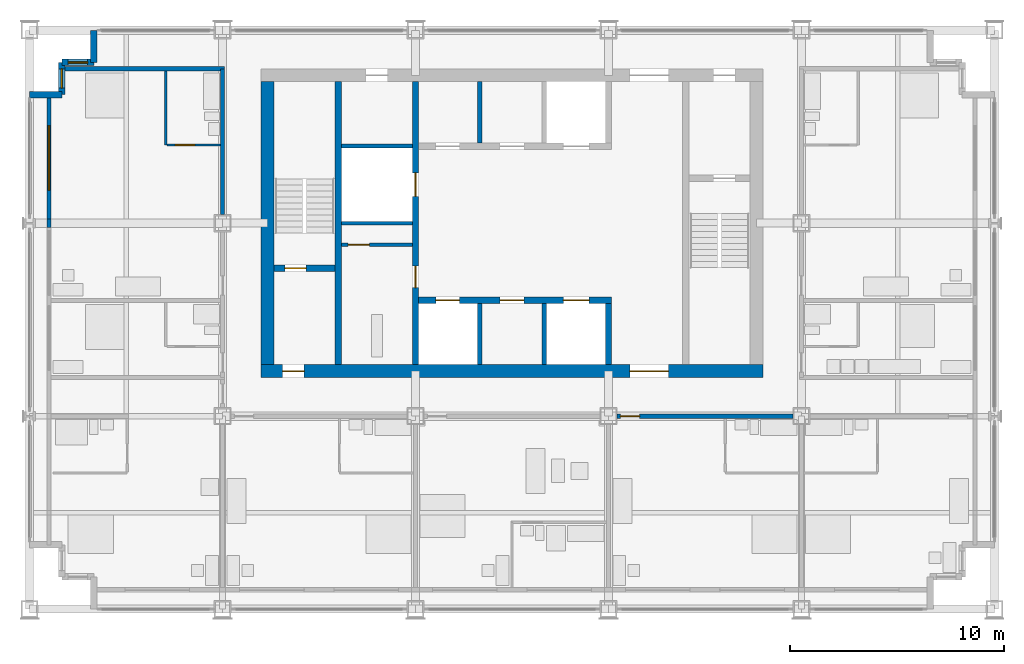
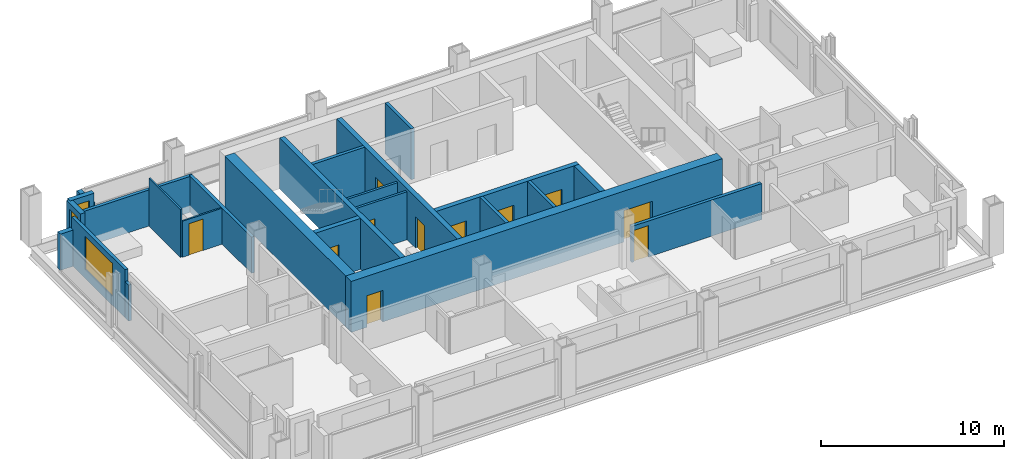
# One storey, part 8 of 13: 24 walls, 11 doors, 3 windows, 14 openings.
"""IFC4 building model written with IfcOpenShell, lengths in metres."""

from ifc_helpers import new_model, si_unit, direction, frame, frame_2d, origin, place, context, subcontext, project, spatial, rectangle, extrude, material, layer, layer_set, type_object, element, fill, save


model = new_model("IFC4")

# Units and contexts
model_context = context("Model", 3, precision=1e-05, world=origin(), true_north=direction((0.0, 1.0)))
body_context = subcontext(model_context, "Body", "Model", "MODEL_VIEW")
ifc_project = project(units=[si_unit("LENGTHUNIT", "METRE"), si_unit("AREAUNIT", "SQUARE_METRE"), si_unit("VOLUMEUNIT", "CUBIC_METRE"), si_unit("PLANEANGLEUNIT", "RADIAN"), si_unit("MASSUNIT", "GRAM", prefix="KILO")], contexts=[model_context])

# Site, building, storey
site_placement = place(None, origin())
site = spatial("IfcSite", under=ifc_project, at=site_placement, CompositionType="ELEMENT")
building_placement = place(site_placement, origin())
building = spatial("IfcBuilding", under=site, at=building_placement, Name="Loomwork Tower", CompositionType="ELEMENT")
storey_placement = place(building_placement, frame((0.0, 0.0, 180.800048828125)))
storey = spatial("IfcBuildingStorey", under=building, at=storey_placement, Name="L49", CompositionType="ELEMENT", Elevation=180.800048828125)

# Wall
ifc_material_1 = material(Name="Concrete 14000 psi (97 MPa)", Category="concrete")
ifc_layer_1 = layer(ifc_material_1, 0.300048828125)
ifc_layer_set_1 = layer_set([ifc_layer_1], Name="Core shear wall 300")
wall_type_1 = type_object("IfcWallType", Name="Core shear wall 300", PredefinedType="SHEAR", material=ifc_layer_set_1)
wall_1_placement = place(storey_placement, frame((14.39990234375, 11.39990234375, 0.0), z_axis=(0.0, 0.0, 1.0), x_axis=(0.0, 1.0, 0.0)))
element("IfcWall", 1, at=wall_1_placement, inside=storey, type_object=wall_type_1, Name="Stair A east wall L49", PredefinedType="SHEAR", context=body_context, shape_type="SweptSolid", body=[
    extrude(rectangle(XDim=13.2001953125, YDim=0.300048828125, at=frame_2d((6.60009765625, 0.0))), origin(), (0.0, 0.0, 1.0), 3.39990234375),
])

# Wall, opening, door
wall_2_placement = place(storey_placement, frame((11.39990234375, 15.89990234375, 0.0), z_axis=(0.0, 0.0, 1.0), x_axis=(1.0, 0.0, 0.0)))
wall_2 = element("IfcWall", 2, at=wall_2_placement, inside=storey, type_object=wall_type_1, Name="Stair A south wall L49", PredefinedType="SHEAR", context=body_context, shape_type="SweptSolid", body=[
    extrude(rectangle(XDim=2.85009765625, YDim=0.300048828125, at=frame_2d((1.425048828125, 0.0))), origin(), (0.0, 0.0, 1.0), 3.39990234375),
])
opening_1_placement = place(wall_2_placement, frame((0.5, 0.0, 0.0)))
opening_1 = element("IfcOpeningElement", 3, at=opening_1_placement, cuts=wall_2, Name="Opening D4", PredefinedType="OPENING", context=body_context, shape_type="SweptSolid", body=[
    extrude(rectangle(XDim=1.0, YDim=2.10009765625, at=frame_2d((0.5, 1.050048828125))), frame((0.0, 0.159912109375, 0.0), z_axis=(0.0, -1.0, 0.0), x_axis=(1.0, 0.0, 0.0)), (0.0, 0.0, 1.0), 0.320068359375),
])
ifc_material_2 = material(Name="Hollow metal door and frame")
door_type_1 = type_object("IfcDoorType", Name="Stair door 1000", OperationType="SINGLE_SWING_RIGHT", PredefinedType="DOOR", material=ifc_material_2)
door_1_placement = place(opening_1_placement, origin())
door_1 = element("IfcDoor", 4, at=door_1_placement, inside=storey, type_object=door_type_1, Name="Stair A door", OperationType="SINGLE_SWING_LEFT", OverallHeight=2.10009765625, OverallWidth=1.0, PredefinedType="DOOR", context=body_context, shape_type="SweptSolid", body=[
    extrude(rectangle(XDim=1.0, YDim=2.10009765625, at=frame_2d((0.5, 1.050048828125))), frame((0.0, 0.02490234375, 0.0), z_axis=(0.0, -1.0, 0.0), x_axis=(1.0, 0.0, 0.0)), (0.0, 0.0, 1.0), 0.050048828125),
])
fill(opening_1, door_1)

# Wall, openings, doors
wall_3_placement = place(storey_placement, frame((18.0, 11.39990234375, 0.0), z_axis=(0.0, 0.0, 1.0), x_axis=(0.0, 1.0, 0.0)))
wall_3 = element("IfcWall", 5, at=wall_3_placement, inside=storey, type_object=wall_type_1, Name="Lobby west wall L49", PredefinedType="SHEAR", context=body_context, shape_type="SweptSolid", body=[
    extrude(rectangle(XDim=13.2001953125, YDim=0.300048828125, at=frame_2d((6.60009765625, 0.0))), origin(), (0.0, 0.0, 1.0), 3.39990234375),
])
opening_2_placement = place(wall_3_placement, frame((3.60009765625, 0.0, 0.0)))
opening_2 = element("IfcOpeningElement", 6, at=opening_2_placement, cuts=wall_3, Name="Opening D5", PredefinedType="OPENING", context=body_context, shape_type="SweptSolid", body=[
    extrude(rectangle(XDim=1.0, YDim=2.10009765625, at=frame_2d((0.5, 1.050048828125))), frame((0.0, 0.159912109375, 0.0), z_axis=(0.0, -1.0, 0.0), x_axis=(1.0, 0.0, 0.0)), (0.0, 0.0, 1.0), 0.320068359375),
])
opening_3_placement = place(wall_3_placement, frame((7.85009765625, 0.0, 0.0)))
opening_3 = element("IfcOpeningElement", 7, at=opening_3_placement, cuts=wall_3, Name="Opening LD1", PredefinedType="OPENING", context=body_context, shape_type="SweptSolid", body=[
    extrude(rectangle(XDim=1.10009765625, YDim=2.10009765625, at=frame_2d((0.550048828125, 1.050048828125))), frame((0.0, 0.159912109375, 0.0), z_axis=(0.0, -1.0, 0.0), x_axis=(1.0, 0.0, 0.0)), (0.0, 0.0, 1.0), 0.320068359375),
])
ifc_material_3 = material(Name="Hollow metal door and frame")
door_type_2 = type_object("IfcDoorType", Name="Lift landing door 1100", OperationType="SLIDING_TO_LEFT", PredefinedType="DOOR", material=ifc_material_3)
door_2_placement = place(opening_3_placement, origin())
door_2 = element("IfcDoor", 8, at=door_2_placement, inside=storey, type_object=door_type_2, Name="Lift landing door LC2", OperationType="SLIDING_TO_LEFT", OverallHeight=2.10009765625, OverallWidth=1.10009765625, PredefinedType="DOOR", context=body_context, shape_type="SweptSolid", body=[
    extrude(rectangle(XDim=1.10009765625, YDim=2.10009765625, at=frame_2d((0.550048828125, 1.050048828125))), frame((0.0, 0.02490234375, 0.0), z_axis=(0.0, -1.0, 0.0), x_axis=(1.0, 0.0, 0.0)), (0.0, 0.0, 1.0), 0.050048828125),
])
fill(opening_3, door_2)
ifc_material_4 = material(Name="Hollow metal door and frame")
door_type_3 = type_object("IfcDoorType", Name="Service door 1000", OperationType="SINGLE_SWING_LEFT", PredefinedType="DOOR", material=ifc_material_4)
door_3_placement = place(opening_2_placement, origin())
door_3 = element("IfcDoor", 9, at=door_3_placement, inside=storey, type_object=door_type_3, Name="Back-of-house door south", OperationType="SINGLE_SWING_LEFT", OverallHeight=2.10009765625, OverallWidth=1.0, PredefinedType="DOOR", context=body_context, shape_type="SweptSolid", body=[
    extrude(rectangle(XDim=1.0, YDim=2.10009765625, at=frame_2d((0.5, 1.050048828125))), frame((0.0, 0.02490234375, 0.0), z_axis=(0.0, -1.0, 0.0), x_axis=(1.0, 0.0, 0.0)), (0.0, 0.0, 1.0), 0.050048828125),
])
fill(opening_2, door_3)

wall_4_placement = place(storey_placement, frame((18.14990234375, 14.39990234375, 0.0), z_axis=(0.0, 0.0, 1.0), x_axis=(1.0, 0.0, 0.0)))
wall_4 = element("IfcWall", 10, at=wall_4_placement, inside=storey, type_object=wall_type_1, Name="Lift front wall south L49", PredefinedType="SHEAR", context=body_context, shape_type="SweptSolid", body=[
    extrude(rectangle(XDim=9.0, YDim=0.300048828125, at=frame_2d((4.5, 0.0))), origin(), (0.0, 0.0, 1.0), 3.39990234375),
])
opening_4_placement = place(wall_4_placement, frame((0.800048828125, 0.0, 0.0)))
opening_4 = element("IfcOpeningElement", 11, at=opening_4_placement, cuts=wall_4, Name="Opening LD1", PredefinedType="OPENING", context=body_context, shape_type="SweptSolid", body=[
    extrude(rectangle(XDim=1.10009765625, YDim=2.10009765625, at=frame_2d((0.550048828125, 1.050048828125))), frame((0.0, 0.159912109375, 0.0), z_axis=(0.0, -1.0, 0.0), x_axis=(1.0, 0.0, 0.0)), (0.0, 0.0, 1.0), 0.320068359375),
])
opening_5_placement = place(wall_4_placement, frame((6.75, 0.0, 0.0)))
opening_5 = element("IfcOpeningElement", 12, at=opening_5_placement, cuts=wall_4, Name="Opening LD2", PredefinedType="OPENING", context=body_context, shape_type="SweptSolid", body=[
    extrude(rectangle(XDim=1.199951171875, YDim=2.10009765625, at=frame_2d((0.60009765625, 1.050048828125))), frame((0.0, 0.159912109375, 0.0), z_axis=(0.0, -1.0, 0.0), x_axis=(1.0, 0.0, 0.0)), (0.0, 0.0, 1.0), 0.320068359375),
])
opening_6_placement = place(wall_4_placement, frame((3.800048828125, 0.0, 0.0)))
opening_6 = element("IfcOpeningElement", 13, at=opening_6_placement, cuts=wall_4, Name="Opening D17", PredefinedType="OPENING", context=body_context, shape_type="SweptSolid", body=[
    extrude(rectangle(XDim=1.10009765625, YDim=2.10009765625, at=frame_2d((0.550048828125, 1.050048828125))), frame((0.0, 0.159912109375, 0.0), z_axis=(0.0, -1.0, 0.0), x_axis=(1.0, 0.0, 0.0)), (0.0, 0.0, 1.0), 0.320068359375),
])
door_4_placement = place(opening_4_placement, origin())
door_4 = element("IfcDoor", 14, at=door_4_placement, inside=storey, type_object=door_type_2, Name="Lift landing door LC1", OperationType="SLIDING_TO_LEFT", OverallHeight=2.10009765625, OverallWidth=1.10009765625, PredefinedType="DOOR", context=body_context, shape_type="SweptSolid", body=[
    extrude(rectangle(XDim=1.10009765625, YDim=2.10009765625, at=frame_2d((0.550048828125, 1.050048828125))), frame((0.0, 0.02490234375, 0.0), z_axis=(0.0, -1.0, 0.0), x_axis=(1.0, 0.0, 0.0)), (0.0, 0.0, 1.0), 0.050048828125),
])
fill(opening_4, door_4)
ifc_material_5 = material(Name="Hollow metal door and frame")
door_type_4 = type_object("IfcDoorType", Name="Lift landing door 1200", OperationType="SLIDING_TO_LEFT", PredefinedType="DOOR", material=ifc_material_5)
door_5_placement = place(opening_5_placement, origin())
door_5 = element("IfcDoor", 15, at=door_5_placement, inside=storey, type_object=door_type_4, Name="Lift landing door LF1", OperationType="SLIDING_TO_LEFT", OverallHeight=2.10009765625, OverallWidth=1.199951171875, PredefinedType="DOOR", context=body_context, shape_type="SweptSolid", body=[
    extrude(rectangle(XDim=1.199951171875, YDim=2.10009765625, at=frame_2d((0.60009765625, 1.050048828125))), frame((0.0, 0.02490234375, 0.0), z_axis=(0.0, -1.0, 0.0), x_axis=(1.0, 0.0, 0.0)), (0.0, 0.0, 1.0), 0.050048828125),
])
fill(opening_5, door_5)
ifc_material_6 = material(Name="Hollow metal door and frame")
door_type_5 = type_object("IfcDoorType", Name="Service room door 1100", OperationType="SINGLE_SWING_LEFT", PredefinedType="DOOR", material=ifc_material_6)
door_6_placement = place(opening_6_placement, frame((1.10009765625, 0.0, 0.0), z_axis=(0.0, 0.0, 1.0), x_axis=(-1.0, 0.0, 0.0)))
door_6 = element("IfcDoor", 16, at=door_6_placement, inside=storey, type_object=door_type_5, Name="Linen and housekeeping store door L49", OperationType="SINGLE_SWING_RIGHT", OverallHeight=2.10009765625, OverallWidth=1.10009765625, PredefinedType="DOOR", context=body_context, shape_type="SweptSolid", body=[
    extrude(rectangle(XDim=1.10009765625, YDim=2.10009765625, at=frame_2d((0.550048828125, 1.050048828125))), frame((0.0, 0.02490234375, 0.0), z_axis=(0.0, -1.0, 0.0), x_axis=(1.0, 0.0, 0.0)), (0.0, 0.0, 1.0), 0.050048828125),
])
fill(opening_6, door_6)

# Wall
wall_5_placement = place(storey_placement, frame((27.0, 11.39990234375, 0.0), z_axis=(0.0, 0.0, 1.0), x_axis=(0.0, 1.0, 0.0)))
element("IfcWall", 17, at=wall_5_placement, inside=storey, type_object=wall_type_1, Name="Lift shaft end wall south L49", PredefinedType="SHEAR", context=body_context, shape_type="SweptSolid", body=[
    extrude(rectangle(XDim=2.85009765625, YDim=0.300048828125, at=frame_2d((1.425048828125, 0.0))), origin(), (0.0, 0.0, 1.0), 3.39990234375),
])

# Wall, openings, doors
ifc_material_7 = material(Name="Concrete 14000 psi (97 MPa)", Category="concrete")
ifc_layer_2 = layer(ifc_material_7, 0.60009765625)
ifc_layer_set_2 = layer_set([ifc_layer_2], Name="Core shear wall 600")
wall_type_2 = type_object("IfcWallType", Name="Core shear wall 600", PredefinedType="SHEAR", material=ifc_layer_set_2)
wall_6_placement = place(storey_placement, frame((10.800048828125, 11.10009765625, 0.0), z_axis=(0.0, 0.0, 1.0), x_axis=(1.0, 0.0, 0.0)))
wall_6 = element("IfcWall", 18, at=wall_6_placement, inside=storey, type_object=wall_type_2, Name="Core wall south L49", PredefinedType="SHEAR", context=body_context, shape_type="SweptSolid", body=[
    extrude(rectangle(XDim=23.39990234375, YDim=0.60009765625, at=frame_2d((11.699951171875, 0.0))), origin(), (0.0, 0.0, 1.0), 3.39990234375),
])
opening_7_placement = place(wall_6_placement, frame((1.0, 0.0, 0.0)))
opening_7 = element("IfcOpeningElement", 19, at=opening_7_placement, cuts=wall_6, Name="Opening D4", PredefinedType="OPENING", context=body_context, shape_type="SweptSolid", body=[
    extrude(rectangle(XDim=1.0, YDim=2.10009765625, at=frame_2d((0.5, 1.050048828125))), frame((0.0, 0.31005859375, 0.0), z_axis=(0.0, -1.0, 0.0), x_axis=(1.0, 0.0, 0.0)), (0.0, 0.0, 1.0), 0.6201171875),
])
opening_8_placement = place(wall_6_placement, frame((17.199951171875, 0.0, 0.0)))
opening_8 = element("IfcOpeningElement", 20, at=opening_8_placement, cuts=wall_6, Name="Opening D6", PredefinedType="OPENING", context=body_context, shape_type="SweptSolid", body=[
    extrude(rectangle(XDim=1.800048828125, YDim=2.10009765625, at=frame_2d((0.89990234375, 1.050048828125))), frame((0.0, 0.31005859375, 0.0), z_axis=(0.0, -1.0, 0.0), x_axis=(1.0, 0.0, 0.0)), (0.0, 0.0, 1.0), 0.6201171875),
])
ifc_material_8 = material(Name="Hollow metal door and frame")
door_type_6 = type_object("IfcDoorType", Name="Lobby passage double door 1800", OperationType="DOUBLE_DOOR_SINGLE_SWING", PredefinedType="DOOR", material=ifc_material_8)
door_7_placement = place(opening_8_placement, origin())
door_7 = element("IfcDoor", 21, at=door_7_placement, inside=storey, type_object=door_type_6, Name="Lobby passage door south", OperationType="DOUBLE_DOOR_SINGLE_SWING", OverallHeight=2.10009765625, OverallWidth=1.800048828125, PredefinedType="DOOR", context=body_context, shape_type="SweptSolid", body=[
    extrude(rectangle(XDim=1.800048828125, YDim=2.10009765625, at=frame_2d((0.89990234375, 1.050048828125))), frame((0.0, 0.02490234375, 0.0), z_axis=(0.0, -1.0, 0.0), x_axis=(1.0, 0.0, 0.0)), (0.0, 0.0, 1.0), 0.050048828125),
])
fill(opening_8, door_7)
door_8_placement = place(opening_7_placement, origin())
door_8 = element("IfcDoor", 22, at=door_8_placement, inside=storey, type_object=door_type_1, Name="Stair A vestibule door", OperationType="SINGLE_SWING_LEFT", OverallHeight=2.10009765625, OverallWidth=1.0, PredefinedType="DOOR", context=body_context, shape_type="SweptSolid", body=[
    extrude(rectangle(XDim=1.0, YDim=2.10009765625, at=frame_2d((0.5, 1.050048828125))), frame((0.0, 0.02490234375, 0.0), z_axis=(0.0, -1.0, 0.0), x_axis=(1.0, 0.0, 0.0)), (0.0, 0.0, 1.0), 0.050048828125),
])
fill(opening_7, door_8)

# Wall
wall_7_placement = place(storey_placement, frame((11.10009765625, 11.39990234375, 0.0), z_axis=(0.0, 0.0, 1.0), x_axis=(0.0, 1.0, 0.0)))
element("IfcWall", 23, at=wall_7_placement, inside=storey, type_object=wall_type_2, Name="Core wall west L49", PredefinedType="SHEAR", context=body_context, shape_type="SweptSolid", body=[
    extrude(rectangle(XDim=13.2001953125, YDim=0.60009765625, at=frame_2d((6.60009765625, 0.0))), origin(), (0.0, 0.0, 1.0), 3.39990234375),
])

# Wall, opening, door
ifc_material_9 = material(Name="Gypsum board on steel studs, one-hour", Category="steel")
ifc_layer_3 = layer(ifc_material_9, 0.199951171875)
ifc_layer_set_3 = layer_set([ifc_layer_3], Name="Corridor wall 200")
wall_type_3 = type_object("IfcWallType", Name="Corridor wall 200", PredefinedType="PARTITIONING", material=ifc_layer_set_3)
wall_8_placement = place(storey_placement, frame((27.39990234375, 9.0, 0.0), z_axis=(0.0, 0.0, 1.0), x_axis=(1.0, 0.0, 0.0)))
wall_8 = element("IfcWall", 24, at=wall_8_placement, inside=storey, type_object=wall_type_3, Name="South corridor wall 4", PredefinedType="PARTITIONING", context=body_context, shape_type="SweptSolid", body=[
    extrude(rectangle(XDim=8.2001953125, YDim=0.199951171875, at=frame_2d((4.10009765625, 0.0))), origin(), (0.0, 0.0, 1.0), 2.405029296875),
])
opening_9_placement = place(wall_8_placement, frame((0.14990234375, 0.0, 0.0)))
opening_9 = element("IfcOpeningElement", 25, at=opening_9_placement, cuts=wall_8, Name="Opening D1", PredefinedType="OPENING", context=body_context, shape_type="SweptSolid", body=[
    extrude(rectangle(XDim=0.89990234375, YDim=2.10009765625, at=frame_2d((0.449951171875, 1.050048828125))), frame((0.0, 0.10986328125, 0.0), z_axis=(0.0, -1.0, 0.0), x_axis=(1.0, 0.0, 0.0)), (0.0, 0.0, 1.0), 0.219970703125),
])
ifc_material_10 = material(Name="Hollow metal door and frame")
door_type_7 = type_object("IfcDoorType", Name="Guest room entry door 900", OperationType="SINGLE_SWING_LEFT", PredefinedType="DOOR", material=ifc_material_10)
door_9_placement = place(opening_9_placement, frame((0.89990234375, 0.0, 0.0), z_axis=(0.0, 0.0, 1.0), x_axis=(-1.0, 0.0, 0.0)))
door_9 = element("IfcDoor", 26, at=door_9_placement, inside=storey, type_object=door_type_7, Name="Guest room entry door L49 4", OperationType="SINGLE_SWING_RIGHT", OverallHeight=2.10009765625, OverallWidth=0.89990234375, PredefinedType="DOOR", context=body_context, shape_type="SweptSolid", body=[
    extrude(rectangle(XDim=0.89990234375, YDim=2.10009765625, at=frame_2d((0.449951171875, 1.050048828125))), frame((0.0, 0.02490234375, 0.0), z_axis=(0.0, -1.0, 0.0), x_axis=(1.0, 0.0, 0.0)), (0.0, 0.0, 1.0), 0.050048828125),
])
fill(opening_9, door_9)

# Walls
wall_9_placement = place(storey_placement, frame((9.0, 18.39990234375, 0.0), z_axis=(0.0, 0.0, 1.0), x_axis=(0.0, 1.0, 0.0)))
element("IfcWall", 27, at=wall_9_placement, inside=storey, type_object=wall_type_3, Name="West corridor wall 2", PredefinedType="PARTITIONING", context=body_context, shape_type="SweptSolid", body=[
    extrude(rectangle(XDim=6.800048828125, YDim=0.199951171875, at=frame_2d((3.39990234375, 0.0))), origin(), (0.0, 0.0, 1.0), 2.405029296875),
])
wall_10_placement = place(storey_placement, frame((1.64990234375, 25.199951171875, 0.0), z_axis=(0.0, 0.0, 1.0), x_axis=(1.0, 0.0, 0.0)))
element("IfcWall", 28, at=wall_10_placement, inside=storey, type_object=wall_type_3, Name="West band end wall N", PredefinedType="PARTITIONING", context=body_context, shape_type="SweptSolid", body=[
    extrude(rectangle(XDim=7.4501953125, YDim=0.199951171875, at=frame_2d((3.72509765625, 0.0))), origin(), (0.0, 0.0, 1.0), 2.404052734375),
])
ifc_material_11 = material(Name="Cement board on steel studs", Category="steel")
ifc_layer_4 = layer(ifc_material_11, 0.10009765625)
ifc_layer_set_4 = layer_set([ifc_layer_4], Name="En-suite partition 100")
wall_type_4 = type_object("IfcWallType", Name="En-suite partition 100", PredefinedType="PARTITIONING", material=ifc_layer_set_4)
wall_11_placement = place(storey_placement, frame((6.35009765625, 21.64990234375, 0.0), z_axis=(0.0, 0.0, 1.0), x_axis=(0.0, 1.0, 0.0)))
element("IfcWall", 29, at=wall_11_placement, inside=storey, type_object=wall_type_4, Name="En-suite wall L49 room 7", PredefinedType="PARTITIONING", context=body_context, shape_type="SweptSolid", body=[
    extrude(rectangle(XDim=3.4501953125, YDim=0.10009765625, at=frame_2d((1.72509765625, 0.0))), origin(), (0.0, 0.0, 1.0), 3.199951171875),
])

# Wall, opening, door
wall_12_placement = place(storey_placement, frame((8.89990234375, 21.64990234375, 0.0), z_axis=(0.0, 0.0, 1.0), x_axis=(-1.0, 0.0, 0.0)))
wall_12 = element("IfcWall", 30, at=wall_12_placement, inside=storey, type_object=wall_type_4, Name="En-suite side wall L49 room 7", PredefinedType="PARTITIONING", context=body_context, shape_type="SweptSolid", body=[
    extrude(rectangle(XDim=2.5, YDim=0.10009765625, at=frame_2d((1.25, 0.0))), origin(), (0.0, 0.0, 1.0), 2.404052734375),
])
opening_10_placement = place(wall_12_placement, frame((1.199951171875, 0.0, 0.0)))
opening_10 = element("IfcOpeningElement", 31, at=opening_10_placement, cuts=wall_12, Name="Opening D2", PredefinedType="OPENING", context=body_context, shape_type="SweptSolid", body=[
    extrude(rectangle(XDim=0.89990234375, YDim=2.10009765625, at=frame_2d((0.449951171875, 1.050048828125))), frame((0.0, 0.06005859375, 0.0), z_axis=(0.0, -1.0, 0.0), x_axis=(1.0, 0.0, 0.0)), (0.0, 0.0, 1.0), 0.1201171875),
])
ifc_material_12 = material(Name="Hollow metal door and frame")
door_type_8 = type_object("IfcDoorType", Name="En-suite door 900", OperationType="SINGLE_SWING_LEFT", PredefinedType="DOOR", material=ifc_material_12)
door_10_placement = place(opening_10_placement, frame((0.89990234375, 0.0, 0.0), z_axis=(0.0, 0.0, 1.0), x_axis=(-1.0, 0.0, 0.0)))
door_10 = element("IfcDoor", 32, at=door_10_placement, inside=storey, type_object=door_type_8, Name="En-suite door room 7", OperationType="SINGLE_SWING_LEFT", OverallHeight=2.10009765625, OverallWidth=0.89990234375, PredefinedType="DOOR", context=body_context, shape_type="SweptSolid", body=[
    extrude(rectangle(XDim=0.89990234375, YDim=2.10009765625, at=frame_2d((0.449951171875, 1.050048828125))), frame((0.0, 0.02490234375, 0.0), z_axis=(0.0, -1.0, 0.0), x_axis=(1.0, 0.0, 0.0)), (0.0, 0.0, 1.0), 0.050048828125),
])
fill(opening_10, door_10)

# Wall
ifc_material_13 = material(Name="Insulated steel stud wall with gypsum lining", Category="steel")
ifc_layer_5 = layer(ifc_material_13, 0.199951171875)
ifc_layer_set_5 = layer_set([ifc_layer_5], Name="Inner skin wall 200")
wall_type_5 = type_object("IfcWallType", Name="Inner skin wall 200", PredefinedType="SOLIDWALL", material=ifc_layer_set_5)
wall_13_placement = place(storey_placement, frame((0.89990234375, 17.80615234375, 0.0), z_axis=(0.0, 0.0, 1.0), x_axis=(0.0, 1.0, 0.0)))
element("IfcWall", 33, at=wall_13_placement, inside=storey, type_object=wall_type_5, Name="Inner skin wall W bay 6", PredefinedType="SOLIDWALL", context=body_context, shape_type="SweptSolid", body=[
    extrude(rectangle(XDim=0.3876953125, YDim=0.199951171875, at=frame_2d((0.19384765625, 0.0))), origin(), (0.0, 0.0, 1.0), 2.404052734375),
])

# Wall, opening, window
wall_14_placement = place(storey_placement, frame((0.89990234375, 18.19384765625, 0.0), z_axis=(0.0, 0.0, 1.0), x_axis=(0.0, 1.0, 0.0)))
wall_14 = element("IfcWall", 34, at=wall_14_placement, inside=storey, type_object=wall_type_5, Name="Inner skin wall W bay 7", PredefinedType="SOLIDWALL", context=body_context, shape_type="SweptSolid", body=[
    extrude(rectangle(XDim=5.80615234375, YDim=0.199951171875, at=frame_2d((2.903076171875, 0.0))), origin(), (0.0, 0.0, 1.0), 3.199951171875),
])
opening_11_placement = place(wall_14_placement, frame((1.356201171875, 0.0, 0.60009765625)))
opening_11 = element("IfcOpeningElement", 35, at=opening_11_placement, cuts=wall_14, Name="Opening CH1", PredefinedType="OPENING", context=body_context, shape_type="SweptSolid", body=[
    extrude(rectangle(XDim=3.0, YDim=2.199951171875, at=frame_2d((1.5, 1.10009765625))), frame((0.0, 0.10986328125, 0.0), z_axis=(0.0, -1.0, 0.0), x_axis=(1.0, 0.0, 0.0)), (0.0, 0.0, 1.0), 0.219970703125),
])
ifc_material_14 = material(Name="Aluminium frame with clear insulated glass", Category="aluminium")
window_type_1 = type_object("IfcWindowType", Name="Chicago window 3000", PartitioningType="TRIPLE_PANEL_VERTICAL", PredefinedType="WINDOW", material=ifc_material_14)
window_1_placement = place(opening_11_placement, origin())
window_1 = element("IfcWindow", 36, at=window_1_placement, inside=storey, type_object=window_type_1, Name="Chicago window L49 bay 7", OverallHeight=2.199951171875, OverallWidth=3.0, PartitioningType="TRIPLE_PANEL_VERTICAL", PredefinedType="WINDOW", context=body_context, shape_type="SweptSolid", body=[
    extrude(rectangle(XDim=3.0, YDim=2.199951171875, at=frame_2d((1.5, 1.10009765625))), frame((0.0, 0.030029296875, 0.0), z_axis=(0.0, -1.0, 0.0), x_axis=(1.0, 0.0, 0.0)), (0.0, 0.0, 1.0), 0.06005859375),
])
fill(opening_11, window_1)

# Walls
ifc_material_15 = material(Name="Concrete 14000 psi (97 MPa)", Category="concrete")
ifc_layer_6 = layer(ifc_material_15, 0.199951171875)
ifc_layer_set_6 = layer_set([ifc_layer_6], Name="Lift shaft wall 200")
wall_type_6 = type_object("IfcWallType", Name="Lift shaft wall 200", PredefinedType="SHEAR", material=ifc_layer_set_6)
for number, where, z_axis, x_axis, name in (
    (37, (21.0, 11.39990234375, 0.0), (0.0, 0.0, 1.0), (0.0, 1.0, 0.0), "Lift shaft separation wall south 1 L49"),
    (38, (24.0, 11.39990234375, 0.0), (0.0, 0.0, 1.0), (0.0, 1.0, 0.0), "Lift shaft separation wall south 2 L49"),
    (39, (21.0, 21.75, 0.0), (0.0, 0.0, 1.0), (0.0, 1.0, 0.0), "Lift shaft separation wall north 1 L49"),
):
    element("IfcWall", number, at=place(storey_placement, frame(where, z_axis=z_axis, x_axis=x_axis)), inside=storey, type_object=wall_type_6, Name=name, PredefinedType="SHEAR", context=body_context, shape_type="SweptSolid", body=[
        extrude(rectangle(XDim=2.85009765625, YDim=0.199951171875, at=frame_2d((1.425048828125, 0.0))), origin(), (0.0, 0.0, 1.0), 3.39990234375),
    ])
wall_15_placement = place(storey_placement, frame((14.550048828125, 21.60009765625, 0.0), z_axis=(0.0, 0.0, 1.0), x_axis=(1.0, 0.0, 0.0)))
element("IfcWall", 40, at=wall_15_placement, inside=storey, type_object=wall_type_6, Name="Lift shaft wall west north L49", PredefinedType="SHEAR", context=body_context, shape_type="SweptSolid", body=[
    extrude(rectangle(XDim=3.300048828125, YDim=0.199951171875, at=frame_2d((1.64990234375, 0.0))), origin(), (0.0, 0.0, 1.0), 3.39990234375),
])
ifc_material_16 = material(Name="Limestone on concrete masonry", Category="masonry")
ifc_layer_7 = layer(ifc_material_16, 0.300048828125)
ifc_layer_set_7 = layer_set([ifc_layer_7], Name="Limestone corner wall 300")
wall_type_7 = type_object("IfcWallType", Name="Limestone corner wall 300", PredefinedType="SOLIDWALL", material=ifc_layer_set_7)
wall_16_placement = place(storey_placement, frame((3.0, 27.0, 0.0), z_axis=(0.0, 0.0, 1.0), x_axis=(0.0, -1.0, 0.0)))
element("IfcWall", 41, at=wall_16_placement, inside=storey, type_object=wall_type_7, Name="Stone corner wall NW 1", PredefinedType="SOLIDWALL", context=body_context, shape_type="SweptSolid", body=[
    extrude(rectangle(XDim=1.5, YDim=0.300048828125, at=frame_2d((0.75, 0.0))), origin(), (0.0, 0.0, 1.0), 2.419921875),
])

# Wall, opening, window
wall_17_placement = place(storey_placement, frame((3.0, 25.5, 0.0), z_axis=(0.0, 0.0, 1.0), x_axis=(-1.0, 0.0, 0.0)))
wall_17 = element("IfcWall", 42, at=wall_17_placement, inside=storey, type_object=wall_type_7, Name="Stone corner wall NW 2", PredefinedType="SOLIDWALL", context=body_context, shape_type="SweptSolid", body=[
    extrude(rectangle(XDim=1.5, YDim=0.300048828125, at=frame_2d((0.75, 0.0))), origin(), (0.0, 0.0, 1.0), 3.199951171875),
])
opening_12_placement = place(wall_17_placement, frame((0.300048828125, 0.0, 0.60009765625)))
opening_12 = element("IfcOpeningElement", 43, at=opening_12_placement, cuts=wall_17, Name="Opening CH2", PredefinedType="OPENING", context=body_context, shape_type="SweptSolid", body=[
    extrude(rectangle(XDim=0.89990234375, YDim=2.199951171875, at=frame_2d((0.449951171875, 1.10009765625))), frame((0.0, 0.159912109375, 0.0), z_axis=(0.0, -1.0, 0.0), x_axis=(1.0, 0.0, 0.0)), (0.0, 0.0, 1.0), 0.320068359375),
])
ifc_material_17 = material(Name="Aluminium frame with clear insulated glass", Category="aluminium")
window_type_2 = type_object("IfcWindowType", Name="Corner window 900", PartitioningType="SINGLE_PANEL", PredefinedType="WINDOW", material=ifc_material_17)
window_2_placement = place(opening_12_placement, origin())
window_2 = element("IfcWindow", 44, at=window_2_placement, inside=storey, type_object=window_type_2, Name="Corner window NW", OverallHeight=2.199951171875, OverallWidth=0.89990234375, PartitioningType="SINGLE_PANEL", PredefinedType="WINDOW", context=body_context, shape_type="SweptSolid", body=[
    extrude(rectangle(XDim=0.89990234375, YDim=2.199951171875, at=frame_2d((0.449951171875, 1.10009765625))), frame((0.0, 0.030029296875, 0.0), z_axis=(0.0, -1.0, 0.0), x_axis=(1.0, 0.0, 0.0)), (0.0, 0.0, 1.0), 0.06005859375),
])
fill(opening_12, window_2)

wall_18_placement = place(storey_placement, frame((1.5, 25.5, 0.0), z_axis=(0.0, 0.0, 1.0), x_axis=(0.0, -1.0, 0.0)))
wall_18 = element("IfcWall", 45, at=wall_18_placement, inside=storey, type_object=wall_type_7, Name="Stone corner wall NW 3", PredefinedType="SOLIDWALL", context=body_context, shape_type="SweptSolid", body=[
    extrude(rectangle(XDim=1.5, YDim=0.300048828125, at=frame_2d((0.75, 0.0))), origin(), (0.0, 0.0, 1.0), 3.199951171875),
])
opening_13_placement = place(wall_18_placement, frame((0.300048828125, 0.0, 0.60009765625)))
opening_13 = element("IfcOpeningElement", 46, at=opening_13_placement, cuts=wall_18, Name="Opening CH2", PredefinedType="OPENING", context=body_context, shape_type="SweptSolid", body=[
    extrude(rectangle(XDim=0.89990234375, YDim=2.199951171875, at=frame_2d((0.449951171875, 1.10009765625))), frame((0.0, 0.159912109375, 0.0), z_axis=(0.0, -1.0, 0.0), x_axis=(1.0, 0.0, 0.0)), (0.0, 0.0, 1.0), 0.320068359375),
])
window_3_placement = place(opening_13_placement, origin())
window_3 = element("IfcWindow", 47, at=window_3_placement, inside=storey, type_object=window_type_2, Name="Corner window NW", OverallHeight=2.199951171875, OverallWidth=0.89990234375, PartitioningType="SINGLE_PANEL", PredefinedType="WINDOW", context=body_context, shape_type="SweptSolid", body=[
    extrude(rectangle(XDim=0.89990234375, YDim=2.199951171875, at=frame_2d((0.449951171875, 1.10009765625))), frame((0.0, 0.030029296875, 0.0), z_axis=(0.0, -1.0, 0.0), x_axis=(1.0, 0.0, 0.0)), (0.0, 0.0, 1.0), 0.06005859375),
])
fill(opening_13, window_3)

# Walls
wall_19_placement = place(storey_placement, frame((1.5, 24.0, 0.0), z_axis=(0.0, 0.0, 1.0), x_axis=(-1.0, 0.0, 0.0)))
element("IfcWall", 48, at=wall_19_placement, inside=storey, type_object=wall_type_7, Name="Stone corner wall NW 4", PredefinedType="SOLIDWALL", context=body_context, shape_type="SweptSolid", body=[
    extrude(rectangle(XDim=1.5, YDim=0.300048828125, at=frame_2d((0.75, 0.0))), origin(), (0.0, 0.0, 1.0), 2.419921875),
])
ifc_material_18 = material(Name="Gypsum board on steel studs", Category="steel")
ifc_layer_8 = layer(ifc_material_18, 0.14990234375)
ifc_layer_set_8 = layer_set([ifc_layer_8], Name="Partition 150 two-hour")
wall_type_8 = type_object("IfcWallType", Name="Partition 150 two-hour", PredefinedType="PARTITIONING", material=ifc_layer_set_8)
wall_20_placement = place(storey_placement, frame((14.550048828125, 18.0, 0.0), z_axis=(0.0, 0.0, 1.0), x_axis=(1.0, 0.0, 0.0)))
element("IfcWall", 49, at=wall_20_placement, inside=storey, type_object=wall_type_8, Name="Back-of-house dividing wall L49", PredefinedType="PARTITIONING", context=body_context, shape_type="SweptSolid", body=[
    extrude(rectangle(XDim=3.300048828125, YDim=0.14990234375, at=frame_2d((1.64990234375, 0.0))), origin(), (0.0, 0.0, 1.0), 3.199951171875),
])

# Wall, opening, door
ifc_material_19 = material(Name="Gypsum board on steel studs, one-hour", Category="steel")
ifc_layer_9 = layer(ifc_material_19, 0.14990234375)
ifc_layer_set_9 = layer_set([ifc_layer_9], Name="Service partition 150")
wall_type_9 = type_object("IfcWallType", Name="Service partition 150", PredefinedType="PARTITIONING", material=ifc_layer_set_9)
wall_21_placement = place(storey_placement, frame((14.550048828125, 17.0, 0.0), z_axis=(0.0, 0.0, 1.0), x_axis=(1.0, 0.0, 0.0)))
wall_21 = element("IfcWall", 50, at=wall_21_placement, inside=storey, type_object=wall_type_9, Name="Riser enclosure L49", PredefinedType="PARTITIONING", context=body_context, shape_type="SweptSolid", body=[
    extrude(rectangle(XDim=3.300048828125, YDim=0.14990234375, at=frame_2d((1.64990234375, 0.0))), origin(), (0.0, 0.0, 1.0), 3.199951171875),
])
opening_14_placement = place(wall_21_placement, frame((0.300048828125, 0.0, 0.0)))
opening_14 = element("IfcOpeningElement", 51, at=opening_14_placement, cuts=wall_21, Name="Opening D18", PredefinedType="OPENING", context=body_context, shape_type="SweptSolid", body=[
    extrude(rectangle(XDim=1.0, YDim=2.10009765625, at=frame_2d((0.5, 1.050048828125))), frame((0.0, 0.0849609375, 0.0), z_axis=(0.0, -1.0, 0.0), x_axis=(1.0, 0.0, 0.0)), (0.0, 0.0, 1.0), 0.169921875),
])
ifc_material_20 = material(Name="Hollow metal door and frame")
door_type_9 = type_object("IfcDoorType", Name="Ninety-minute service door 1000", OperationType="SINGLE_SWING_LEFT", PredefinedType="DOOR", material=ifc_material_20)
door_11_placement = place(opening_14_placement, frame((1.0, 0.0, 0.0), z_axis=(0.0, 0.0, 1.0), x_axis=(-1.0, 0.0, 0.0)))
door_11 = element("IfcDoor", 52, at=door_11_placement, inside=storey, type_object=door_type_9, Name="Riser access door", OperationType="SINGLE_SWING_RIGHT", OverallHeight=2.10009765625, OverallWidth=1.0, PredefinedType="DOOR", context=body_context, shape_type="SweptSolid", body=[
    extrude(rectangle(XDim=1.0, YDim=2.10009765625, at=frame_2d((0.5, 1.050048828125))), frame((0.0, 0.02490234375, 0.0), z_axis=(0.0, -1.0, 0.0), x_axis=(1.0, 0.0, 0.0)), (0.0, 0.0, 1.0), 0.050048828125),
])
fill(opening_14, door_11)

save(model, "model.ifc")
